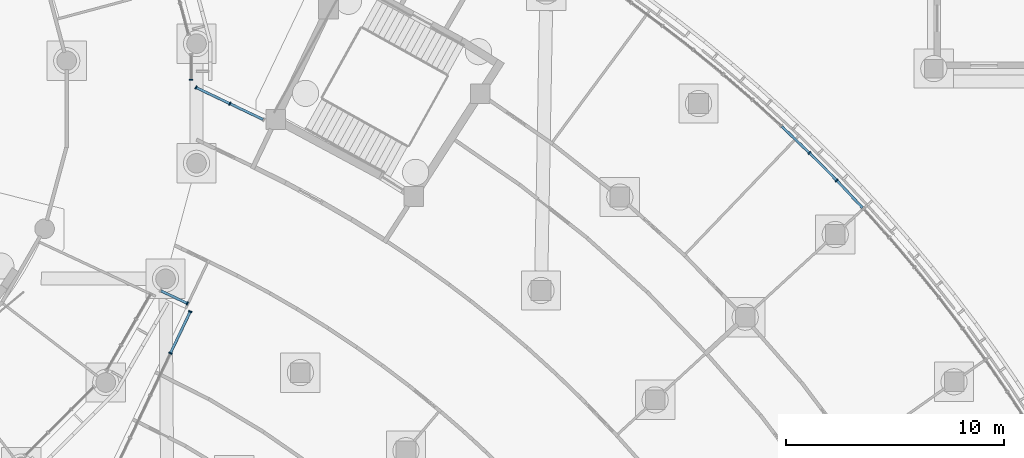
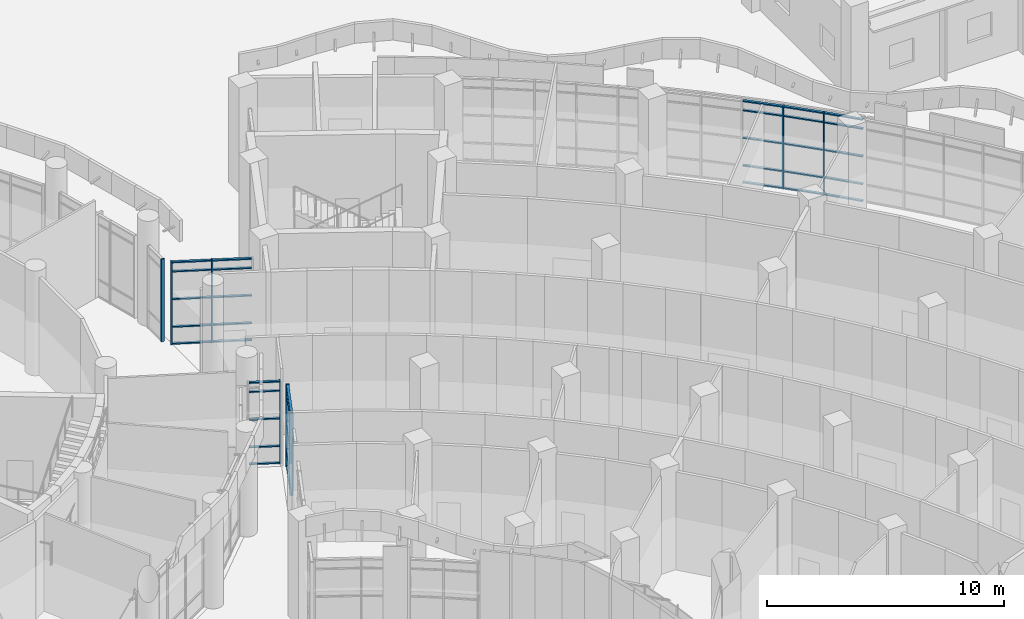
# One storey, part 35 of 146: 43 members, 5 elements without a shape of their own.
"""IFC4 building model written with IfcOpenShell, lengths in metres."""

from ifc_helpers import new_model, si_unit, direction, frame, origin, origin_2d, place, context, subcontext, project, spatial, rectangle, extrude, material, material_profile, profile_set, type_object, element, aggregate, save


model = new_model("IFC4")

# Units and contexts
model_context = context("Model", 3, precision=1e-05, world=origin(), true_north=direction((0.0, 1.0)))
body_context = subcontext(model_context, "Body", "Model", "MODEL_VIEW")
ifc_project = project(units=[si_unit("LENGTHUNIT", "METRE"), si_unit("AREAUNIT", "SQUARE_METRE"), si_unit("VOLUMEUNIT", "CUBIC_METRE"), si_unit("PLANEANGLEUNIT", "RADIAN"), si_unit("MASSUNIT", "GRAM", prefix="KILO")], contexts=[model_context])

# Site, building, storey
site_placement = place(None, origin())
site = spatial("IfcSite", under=ifc_project, at=site_placement, CompositionType="ELEMENT")
building_placement = place(site_placement, origin())
building = spatial("IfcBuilding", under=site, at=building_placement, Name="Bougainvillea Quay General Hospital", CompositionType="ELEMENT")
storey_placement = place(building_placement, origin())
storey = spatial("IfcBuildingStorey", under=building, at=storey_placement, Name="L00", CompositionType="ELEMENT", Elevation=0.0)

# Curtain wall, member
ifc_material_1 = material(Name="Aluminium curtain wall system, powder-coated glazed", Category="aluminium")
curtain_wall_type_1 = type_object("IfcCurtainWallType", Name="Unitised curtain wall CW-1422", PredefinedType="NOTDEFINED", material=ifc_material_1)
curtain_wall_1_placement = place(storey_placement, origin())
curtain_wall_1 = element("IfcCurtainWall", 1, at=curtain_wall_1_placement, inside=storey, type_object=curtain_wall_type_1, Name="CW-AE 00", PredefinedType="NOTDEFINED")
ifc_material_2 = material(Name="Aluminium mullion, powder-coated charcoal", Category="aluminium")
ifc_material_profile_1 = material_profile(ifc_material_2, rectangle(XDim=0.159912109375, YDim=0.06005859375, at=origin_2d()))
ifc_profile_set_1 = profile_set([ifc_material_profile_1], Name="Aluminium mullion, powder-coated charcoal")
member_type_1 = type_object("IfcMemberType", Name="Curtain wall mullion 160x60", PredefinedType="MULLION", material=ifc_profile_set_1)
member_1_placement = place(storey_placement, frame((129.6005859375, 64.840576171875, 0.0), z_axis=(0.0, 0.0, 1.0), x_axis=(0.430534245195, 0.902574242771, 0.0)))
member_1 = element("IfcMember", 2, at=member_1_placement, type_object=member_type_1, Name="CW-AE mullion 2", PredefinedType="MULLION", context=body_context, shape_type="SweptSolid", body=[
    extrude(rectangle(XDim=0.159912109375, YDim=0.06005859375, at=origin_2d()), origin(), (0.0, 0.0, 1.0), 4.25),
])

# Curtain wall, members
curtain_wall_type_2 = type_object("IfcCurtainWallType", Name="Unitised curtain wall CW-2147", PredefinedType="NOTDEFINED", material=ifc_material_1)
curtain_wall_2_placement = place(storey_placement, origin())
curtain_wall_2 = element("IfcCurtainWall", 3, at=curtain_wall_2_placement, inside=storey, type_object=curtain_wall_type_2, Name="CW-AE 00", PredefinedType="NOTDEFINED")
member_2_placement = place(storey_placement, frame((129.732666015625, 64.46728515625, 0.0), z_axis=(0.0, 0.0, 1.0), x_axis=(0.902576055431, -0.430530445105, 0.0)))
member_2 = element("IfcMember", 4, at=member_2_placement, type_object=member_type_1, Name="CW-AE mullion 1", PredefinedType="MULLION", context=body_context, shape_type="SweptSolid", body=[
    extrude(rectangle(XDim=0.159912109375, YDim=0.06005859375, at=origin_2d()), origin(), (0.0, 0.0, 1.0), 4.25),
])
member_3_placement = place(storey_placement, frame((128.82177734375, 62.557373046875, 0.0), z_axis=(0.0, 0.0, 1.0), x_axis=(0.902576055431, -0.430530445105, 0.0)))
member_3 = element("IfcMember", 5, at=member_3_placement, type_object=member_type_1, Name="CW-AE mullion 2", PredefinedType="MULLION", context=body_context, shape_type="SweptSolid", body=[
    extrude(rectangle(XDim=0.159912109375, YDim=0.06005859375, at=origin_2d()), origin(), (0.0, 0.0, 1.0), 4.25),
])

curtain_wall_type_3 = type_object("IfcCurtainWallType", Name="Unitised curtain wall CW-2100", PredefinedType="NOTDEFINED", material=ifc_material_1)
curtain_wall_3_placement = place(storey_placement, origin())
curtain_wall_3 = element("IfcCurtainWall", 6, at=curtain_wall_3_placement, inside=storey, type_object=curtain_wall_type_3, Name="CW-E03 a23b2", PredefinedType="NOTDEFINED")
member_4_placement = place(storey_placement, frame((158.098388671875, 71.739990234375, 0.0), z_axis=(0.0, 0.0, 1.0), x_axis=(0.701048674877, 0.713113423974, 0.0)))
member_4 = element("IfcMember", 7, at=member_4_placement, type_object=member_type_1, Name="CW-E03 mullion 4", PredefinedType="MULLION", context=body_context, shape_type="SweptSolid", body=[
    extrude(rectangle(XDim=0.159912109375, YDim=0.06005859375, at=origin_2d()), origin(), (0.0, 0.0, 1.0), 4.25),
])
member_5_placement = place(storey_placement, frame((159.35205078125, 70.475830078125, 0.0), z_axis=(0.0, 0.0, 1.0), x_axis=(0.71901964839, 0.694989744693, 0.0)))
member_5 = element("IfcMember", 8, at=member_5_placement, type_object=member_type_1, Name="CW-E03 mullion 5", PredefinedType="MULLION", context=body_context, shape_type="SweptSolid", body=[
    extrude(rectangle(XDim=0.159912109375, YDim=0.06005859375, at=origin_2d()), origin(), (0.0, 0.0, 1.0), 4.25),
])

curtain_wall_type_4 = type_object("IfcCurtainWallType", Name="Unitised curtain wall CW-1745", PredefinedType="NOTDEFINED", material=ifc_material_1)
curtain_wall_4_placement = place(storey_placement, origin())
curtain_wall_4 = element("IfcCurtainWall", 9, at=curtain_wall_4_placement, inside=storey, type_object=curtain_wall_type_4, Name="CW-AE 00", PredefinedType="NOTDEFINED")
member_6_placement = place(storey_placement, frame((131.546875, 73.994384765625, 0.0), z_axis=(0.0, 0.0, 1.0), x_axis=(-0.430463026068, -0.902608211345, 0.0)))
member_6 = element("IfcMember", 10, at=member_6_placement, type_object=member_type_1, Name="CW-AE mullion 2", PredefinedType="MULLION", context=body_context, shape_type="SweptSolid", body=[
    extrude(rectangle(XDim=0.159912109375, YDim=0.06005859375, at=origin_2d()), origin(), (0.0, 0.0, 1.0), 4.25),
])
member_7_placement = place(storey_placement, frame((129.99951171875, 74.732421875, 0.0), z_axis=(0.0, 0.0, 1.0), x_axis=(-0.430463026068, -0.902608211345, 0.0)))
member_7 = element("IfcMember", 11, at=member_7_placement, type_object=member_type_1, Name="CW-AE mullion 3", PredefinedType="MULLION", context=body_context, shape_type="SweptSolid", body=[
    extrude(rectangle(XDim=0.159912109375, YDim=0.06005859375, at=origin_2d()), origin(), (0.0, 0.0, 1.0), 4.25),
])

# Curtain wall, member
curtain_wall_type_5 = type_object("IfcCurtainWallType", Name="Unitised curtain wall CW-1211", PredefinedType="NOTDEFINED", material=ifc_material_1)
curtain_wall_5_placement = place(storey_placement, origin())
curtain_wall_5 = element("IfcCurtainWall", 12, at=curtain_wall_5_placement, inside=storey, type_object=curtain_wall_type_5, Name="CW-D 00", PredefinedType="NOTDEFINED")
member_8_placement = place(storey_placement, frame((129.77001953125, 75.090087890625, 0.0), z_axis=(0.0, 0.0, 1.0), x_axis=(-1.0, 0.0, 0.0)))
member_8 = element("IfcMember", 13, at=member_8_placement, type_object=member_type_1, Name="CW-D mullion 1", PredefinedType="MULLION", context=body_context, shape_type="SweptSolid", body=[
    extrude(rectangle(XDim=0.159912109375, YDim=0.06005859375, at=origin_2d()), origin(), (0.0, 0.0, 1.0), 4.25),
])
aggregate(curtain_wall_5, [member_8])

# Member
ifc_material_3 = material(Name="Aluminium transom, powder-coated charcoal", Category="aluminium")
ifc_material_profile_2 = material_profile(ifc_material_3, rectangle(XDim=0.1201171875, YDim=0.06005859375, at=origin_2d()))
ifc_profile_set_2 = profile_set([ifc_material_profile_2], Name="Aluminium transom, powder-coated charcoal")
member_type_2 = type_object("IfcMemberType", Name="Curtain wall transom 120x60", PredefinedType="USERDEFINED", material=ifc_profile_set_2)
member_9_placement = place(storey_placement, frame((128.398681640625, 65.413818359375, 0.030029296875), z_axis=(0.902600317452, -0.430479577837, 0.0), x_axis=(0.430479577837, 0.902600317452, 0.0)))
member_9 = element("IfcMember", 14, at=member_9_placement, type_object=member_type_2, Name="CW-AE transom 1.1", ObjectType="TRANSOM", PredefinedType="USERDEFINED", context=body_context, shape_type="SweptSolid", body=[
    extrude(rectangle(XDim=0.1201171875, YDim=0.06005859375, at=origin_2d()), origin(), (0.0, 0.0, 1.0), 1.301513671875),
])

member_10_placement = place(storey_placement, frame((128.398681640625, 65.413818359375, 0.89990234375), z_axis=(0.902600317452, -0.430479577837, 0.0), x_axis=(0.430479577837, 0.902600317452, 0.0)))
member_10 = element("IfcMember", 15, at=member_10_placement, type_object=member_type_2, Name="CW-AE transom 1.2", ObjectType="TRANSOM", PredefinedType="USERDEFINED", context=body_context, shape_type="SweptSolid", body=[
    extrude(rectangle(XDim=0.1201171875, YDim=0.06005859375, at=origin_2d()), origin(), (0.0, 0.0, 1.0), 1.301513671875),
])

member_11_placement = place(storey_placement, frame((128.398681640625, 65.413818359375, 2.324951171875), z_axis=(0.902600317452, -0.430479577837, 0.0), x_axis=(0.430479577837, 0.902600317452, 0.0)))
member_11 = element("IfcMember", 16, at=member_11_placement, type_object=member_type_2, Name="CW-AE transom 1.3", ObjectType="TRANSOM", PredefinedType="USERDEFINED", context=body_context, shape_type="SweptSolid", body=[
    extrude(rectangle(XDim=0.1201171875, YDim=0.06005859375, at=origin_2d()), origin(), (0.0, 0.0, 1.0), 1.301513671875),
])

member_12_placement = place(storey_placement, frame((128.398681640625, 65.413818359375, 3.75), z_axis=(0.902600317452, -0.430479577837, 0.0), x_axis=(0.430479577837, 0.902600317452, 0.0)))
member_12 = element("IfcMember", 17, at=member_12_placement, type_object=member_type_2, Name="CW-AE transom 1.4", ObjectType="TRANSOM", PredefinedType="USERDEFINED", context=body_context, shape_type="SweptSolid", body=[
    extrude(rectangle(XDim=0.1201171875, YDim=0.06005859375, at=origin_2d()), origin(), (0.0, 0.0, 1.0), 1.301513671875),
])

member_13_placement = place(storey_placement, frame((128.398681640625, 65.413818359375, 4.219970703125), z_axis=(0.902600317452, -0.430479577837, 0.0), x_axis=(0.430479577837, 0.902600317452, 0.0)))
member_13 = element("IfcMember", 18, at=member_13_placement, type_object=member_type_2, Name="CW-AE transom 1.5", ObjectType="TRANSOM", PredefinedType="USERDEFINED", context=body_context, shape_type="SweptSolid", body=[
    extrude(rectangle(XDim=0.1201171875, YDim=0.06005859375, at=origin_2d()), origin(), (0.0, 0.0, 1.0), 1.301513671875),
])

aggregate(curtain_wall_1, [member_1, member_9, member_10, member_11, member_12, member_13])

member_14_placement = place(storey_placement, frame((129.7197265625, 64.440185546875, 0.030029296875), z_axis=(-0.430463594674, -0.902607940171, 0.0), x_axis=(0.902607940171, -0.430463594674, 0.0)))
member_14 = element("IfcMember", 19, at=member_14_placement, type_object=member_type_2, Name="CW-AE transom 1.1", ObjectType="TRANSOM", PredefinedType="USERDEFINED", context=body_context, shape_type="SweptSolid", body=[
    extrude(rectangle(XDim=0.1201171875, YDim=0.06005859375, at=origin_2d()), origin(), (0.0, 0.0, 1.0), 2.055908203125),
])

member_15_placement = place(storey_placement, frame((129.7197265625, 64.440185546875, 0.89990234375), z_axis=(-0.430463594674, -0.902607940171, 0.0), x_axis=(0.902607940171, -0.430463594674, 0.0)))
member_15 = element("IfcMember", 20, at=member_15_placement, type_object=member_type_2, Name="CW-AE transom 1.2", ObjectType="TRANSOM", PredefinedType="USERDEFINED", context=body_context, shape_type="SweptSolid", body=[
    extrude(rectangle(XDim=0.1201171875, YDim=0.06005859375, at=origin_2d()), origin(), (0.0, 0.0, 1.0), 2.055908203125),
])

member_16_placement = place(storey_placement, frame((129.7197265625, 64.440185546875, 2.324951171875), z_axis=(-0.430463594674, -0.902607940171, 0.0), x_axis=(0.902607940171, -0.430463594674, 0.0)))
member_16 = element("IfcMember", 21, at=member_16_placement, type_object=member_type_2, Name="CW-AE transom 1.3", ObjectType="TRANSOM", PredefinedType="USERDEFINED", context=body_context, shape_type="SweptSolid", body=[
    extrude(rectangle(XDim=0.1201171875, YDim=0.06005859375, at=origin_2d()), origin(), (0.0, 0.0, 1.0), 2.055908203125),
])

member_17_placement = place(storey_placement, frame((129.7197265625, 64.440185546875, 3.75), z_axis=(-0.430463594674, -0.902607940171, 0.0), x_axis=(0.902607940171, -0.430463594674, 0.0)))
member_17 = element("IfcMember", 22, at=member_17_placement, type_object=member_type_2, Name="CW-AE transom 1.4", ObjectType="TRANSOM", PredefinedType="USERDEFINED", context=body_context, shape_type="SweptSolid", body=[
    extrude(rectangle(XDim=0.1201171875, YDim=0.06005859375, at=origin_2d()), origin(), (0.0, 0.0, 1.0), 2.055908203125),
])

member_18_placement = place(storey_placement, frame((129.7197265625, 64.440185546875, 4.219970703125), z_axis=(-0.430463594674, -0.902607940171, 0.0), x_axis=(0.902607940171, -0.430463594674, 0.0)))
member_18 = element("IfcMember", 23, at=member_18_placement, type_object=member_type_2, Name="CW-AE transom 1.5", ObjectType="TRANSOM", PredefinedType="USERDEFINED", context=body_context, shape_type="SweptSolid", body=[
    extrude(rectangle(XDim=0.1201171875, YDim=0.06005859375, at=origin_2d()), origin(), (0.0, 0.0, 1.0), 2.055908203125),
])

aggregate(curtain_wall_2, [member_2, member_3, member_14, member_15, member_16, member_17, member_18])

member_19_placement = place(storey_placement, frame((156.834716796875, 72.950927734375, 0.030029296875), z_axis=(0.722059094176, -0.691831384455, 0.0), x_axis=(0.691831384455, 0.722059094176, 0.0)))
member_19 = element("IfcMember", 24, at=member_19_placement, type_object=member_type_2, Name="CW-E03 transom 3.1", ObjectType="TRANSOM", PredefinedType="USERDEFINED", context=body_context, shape_type="SweptSolid", body=[
    extrude(rectangle(XDim=0.1201171875, YDim=0.06005859375, at=origin_2d()), origin(), (0.0, 0.0, 1.0), 1.720458984375),
])

member_20_placement = place(storey_placement, frame((156.834716796875, 72.950927734375, 0.89990234375), z_axis=(0.722059094176, -0.691831384455, 0.0), x_axis=(0.691831384455, 0.722059094176, 0.0)))
member_20 = element("IfcMember", 25, at=member_20_placement, type_object=member_type_2, Name="CW-E03 transom 3.2", ObjectType="TRANSOM", PredefinedType="USERDEFINED", context=body_context, shape_type="SweptSolid", body=[
    extrude(rectangle(XDim=0.1201171875, YDim=0.06005859375, at=origin_2d()), origin(), (0.0, 0.0, 1.0), 1.720458984375),
])

member_21_placement = place(storey_placement, frame((156.834716796875, 72.950927734375, 2.324951171875), z_axis=(0.722059094176, -0.691831384455, 0.0), x_axis=(0.691831384455, 0.722059094176, 0.0)))
member_21 = element("IfcMember", 26, at=member_21_placement, type_object=member_type_2, Name="CW-E03 transom 3.3", ObjectType="TRANSOM", PredefinedType="USERDEFINED", context=body_context, shape_type="SweptSolid", body=[
    extrude(rectangle(XDim=0.1201171875, YDim=0.06005859375, at=origin_2d()), origin(), (0.0, 0.0, 1.0), 1.720458984375),
])

member_22_placement = place(storey_placement, frame((156.834716796875, 72.950927734375, 3.75), z_axis=(0.722059094176, -0.691831384455, 0.0), x_axis=(0.691831384455, 0.722059094176, 0.0)))
member_22 = element("IfcMember", 27, at=member_22_placement, type_object=member_type_2, Name="CW-E03 transom 3.4", ObjectType="TRANSOM", PredefinedType="USERDEFINED", context=body_context, shape_type="SweptSolid", body=[
    extrude(rectangle(XDim=0.1201171875, YDim=0.06005859375, at=origin_2d()), origin(), (0.0, 0.0, 1.0), 1.720458984375),
])

member_23_placement = place(storey_placement, frame((156.834716796875, 72.950927734375, 4.219970703125), z_axis=(0.722059094176, -0.691831384455, 0.0), x_axis=(0.691831384455, 0.722059094176, 0.0)))
member_23 = element("IfcMember", 28, at=member_23_placement, type_object=member_type_2, Name="CW-E03 transom 3.5", ObjectType="TRANSOM", PredefinedType="USERDEFINED", context=body_context, shape_type="SweptSolid", body=[
    extrude(rectangle(XDim=0.1201171875, YDim=0.06005859375, at=origin_2d()), origin(), (0.0, 0.0, 1.0), 1.720458984375),
])

member_24_placement = place(storey_placement, frame((158.11962890625, 71.71875, 0.030029296875), z_axis=(0.704048987987, -0.710151408162, 0.0), x_axis=(0.710151408162, 0.704048987987, 0.0)))
member_24 = element("IfcMember", 29, at=member_24_placement, type_object=member_type_2, Name="CW-E03 transom 4.1", ObjectType="TRANSOM", PredefinedType="USERDEFINED", context=body_context, shape_type="SweptSolid", body=[
    extrude(rectangle(XDim=0.1201171875, YDim=0.06005859375, at=origin_2d()), origin(), (0.0, 0.0, 1.0), 1.72021484375),
])

member_25_placement = place(storey_placement, frame((158.11962890625, 71.71875, 0.89990234375), z_axis=(0.704048987987, -0.710151408162, 0.0), x_axis=(0.710151408162, 0.704048987987, 0.0)))
member_25 = element("IfcMember", 30, at=member_25_placement, type_object=member_type_2, Name="CW-E03 transom 4.2", ObjectType="TRANSOM", PredefinedType="USERDEFINED", context=body_context, shape_type="SweptSolid", body=[
    extrude(rectangle(XDim=0.1201171875, YDim=0.06005859375, at=origin_2d()), origin(), (0.0, 0.0, 1.0), 1.72021484375),
])

member_26_placement = place(storey_placement, frame((158.11962890625, 71.71875, 2.324951171875), z_axis=(0.704048987987, -0.710151408162, 0.0), x_axis=(0.710151408162, 0.704048987987, 0.0)))
member_26 = element("IfcMember", 31, at=member_26_placement, type_object=member_type_2, Name="CW-E03 transom 4.3", ObjectType="TRANSOM", PredefinedType="USERDEFINED", context=body_context, shape_type="SweptSolid", body=[
    extrude(rectangle(XDim=0.1201171875, YDim=0.06005859375, at=origin_2d()), origin(), (0.0, 0.0, 1.0), 1.72021484375),
])

member_27_placement = place(storey_placement, frame((158.11962890625, 71.71875, 3.75), z_axis=(0.704048987987, -0.710151408162, 0.0), x_axis=(0.710151408162, 0.704048987987, 0.0)))
member_27 = element("IfcMember", 32, at=member_27_placement, type_object=member_type_2, Name="CW-E03 transom 4.4", ObjectType="TRANSOM", PredefinedType="USERDEFINED", context=body_context, shape_type="SweptSolid", body=[
    extrude(rectangle(XDim=0.1201171875, YDim=0.06005859375, at=origin_2d()), origin(), (0.0, 0.0, 1.0), 1.72021484375),
])

member_28_placement = place(storey_placement, frame((158.11962890625, 71.71875, 4.219970703125), z_axis=(0.704048987987, -0.710151408162, 0.0), x_axis=(0.710151408162, 0.704048987987, 0.0)))
member_28 = element("IfcMember", 33, at=member_28_placement, type_object=member_type_2, Name="CW-E03 transom 4.5", ObjectType="TRANSOM", PredefinedType="USERDEFINED", context=body_context, shape_type="SweptSolid", body=[
    extrude(rectangle(XDim=0.1201171875, YDim=0.06005859375, at=origin_2d()), origin(), (0.0, 0.0, 1.0), 1.72021484375),
])

member_29_placement = place(storey_placement, frame((159.37255859375, 70.4541015625, 0.030029296875), z_axis=(0.685779077704, -0.727809766755, 0.0), x_axis=(0.727809766755, 0.685779077704, 0.0)))
member_29 = element("IfcMember", 34, at=member_29_placement, type_object=member_type_2, Name="CW-E03 transom 5.1", ObjectType="TRANSOM", PredefinedType="USERDEFINED", context=body_context, shape_type="SweptSolid", body=[
    extrude(rectangle(XDim=0.1201171875, YDim=0.06005859375, at=origin_2d()), origin(), (0.0, 0.0, 1.0), 1.6904296875),
])

member_30_placement = place(storey_placement, frame((159.37255859375, 70.4541015625, 0.89990234375), z_axis=(0.685779077704, -0.727809766755, 0.0), x_axis=(0.727809766755, 0.685779077704, 0.0)))
member_30 = element("IfcMember", 35, at=member_30_placement, type_object=member_type_2, Name="CW-E03 transom 5.2", ObjectType="TRANSOM", PredefinedType="USERDEFINED", context=body_context, shape_type="SweptSolid", body=[
    extrude(rectangle(XDim=0.1201171875, YDim=0.06005859375, at=origin_2d()), origin(), (0.0, 0.0, 1.0), 1.6904296875),
])

member_31_placement = place(storey_placement, frame((159.37255859375, 70.4541015625, 2.324951171875), z_axis=(0.685779077704, -0.727809766755, 0.0), x_axis=(0.727809766755, 0.685779077704, 0.0)))
member_31 = element("IfcMember", 36, at=member_31_placement, type_object=member_type_2, Name="CW-E03 transom 5.3", ObjectType="TRANSOM", PredefinedType="USERDEFINED", context=body_context, shape_type="SweptSolid", body=[
    extrude(rectangle(XDim=0.1201171875, YDim=0.06005859375, at=origin_2d()), origin(), (0.0, 0.0, 1.0), 1.6904296875),
])

member_32_placement = place(storey_placement, frame((159.37255859375, 70.4541015625, 3.75), z_axis=(0.685779077704, -0.727809766755, 0.0), x_axis=(0.727809766755, 0.685779077704, 0.0)))
member_32 = element("IfcMember", 37, at=member_32_placement, type_object=member_type_2, Name="CW-E03 transom 5.4", ObjectType="TRANSOM", PredefinedType="USERDEFINED", context=body_context, shape_type="SweptSolid", body=[
    extrude(rectangle(XDim=0.1201171875, YDim=0.06005859375, at=origin_2d()), origin(), (0.0, 0.0, 1.0), 1.6904296875),
])

member_33_placement = place(storey_placement, frame((159.37255859375, 70.4541015625, 4.219970703125), z_axis=(0.685779077704, -0.727809766755, 0.0), x_axis=(0.727809766755, 0.685779077704, 0.0)))
member_33 = element("IfcMember", 38, at=member_33_placement, type_object=member_type_2, Name="CW-E03 transom 5.5", ObjectType="TRANSOM", PredefinedType="USERDEFINED", context=body_context, shape_type="SweptSolid", body=[
    extrude(rectangle(XDim=0.1201171875, YDim=0.06005859375, at=origin_2d()), origin(), (0.0, 0.0, 1.0), 1.6904296875),
])

aggregate(curtain_wall_3, [member_4, member_5, member_19, member_20, member_21, member_22, member_23, member_24, member_25, member_26, member_27, member_28, member_29, member_30, member_31, member_32, member_33])

member_34_placement = place(storey_placement, frame((133.06689453125, 73.26953125, 0.030029296875), z_axis=(-0.902595741471, 0.430489172314, 0.0), x_axis=(-0.430489172314, -0.902595741471, 0.0)))
member_34 = element("IfcMember", 39, at=member_34_placement, type_object=member_type_2, Name="CW-AE transom 1.1", ObjectType="TRANSOM", PredefinedType="USERDEFINED", context=body_context, shape_type="SweptSolid", body=[
    extrude(rectangle(XDim=0.1201171875, YDim=0.06005859375, at=origin_2d()), origin(), (0.0, 0.0, 1.0), 1.654296875),
])

member_35_placement = place(storey_placement, frame((133.06689453125, 73.26953125, 0.89990234375), z_axis=(-0.902595741471, 0.430489172314, 0.0), x_axis=(-0.430489172314, -0.902595741471, 0.0)))
member_35 = element("IfcMember", 40, at=member_35_placement, type_object=member_type_2, Name="CW-AE transom 1.2", ObjectType="TRANSOM", PredefinedType="USERDEFINED", context=body_context, shape_type="SweptSolid", body=[
    extrude(rectangle(XDim=0.1201171875, YDim=0.06005859375, at=origin_2d()), origin(), (0.0, 0.0, 1.0), 1.654296875),
])

member_36_placement = place(storey_placement, frame((133.06689453125, 73.26953125, 2.324951171875), z_axis=(-0.902595741471, 0.430489172314, 0.0), x_axis=(-0.430489172314, -0.902595741471, 0.0)))
member_36 = element("IfcMember", 41, at=member_36_placement, type_object=member_type_2, Name="CW-AE transom 1.3", ObjectType="TRANSOM", PredefinedType="USERDEFINED", context=body_context, shape_type="SweptSolid", body=[
    extrude(rectangle(XDim=0.1201171875, YDim=0.06005859375, at=origin_2d()), origin(), (0.0, 0.0, 1.0), 1.654296875),
])

member_37_placement = place(storey_placement, frame((133.06689453125, 73.26953125, 3.75), z_axis=(-0.902595741471, 0.430489172314, 0.0), x_axis=(-0.430489172314, -0.902595741471, 0.0)))
member_37 = element("IfcMember", 42, at=member_37_placement, type_object=member_type_2, Name="CW-AE transom 1.4", ObjectType="TRANSOM", PredefinedType="USERDEFINED", context=body_context, shape_type="SweptSolid", body=[
    extrude(rectangle(XDim=0.1201171875, YDim=0.06005859375, at=origin_2d()), origin(), (0.0, 0.0, 1.0), 1.654296875),
])

member_38_placement = place(storey_placement, frame((133.06689453125, 73.26953125, 4.219970703125), z_axis=(-0.902595741471, 0.430489172314, 0.0), x_axis=(-0.430489172314, -0.902595741471, 0.0)))
member_38 = element("IfcMember", 43, at=member_38_placement, type_object=member_type_2, Name="CW-AE transom 1.5", ObjectType="TRANSOM", PredefinedType="USERDEFINED", context=body_context, shape_type="SweptSolid", body=[
    extrude(rectangle(XDim=0.1201171875, YDim=0.06005859375, at=origin_2d()), origin(), (0.0, 0.0, 1.0), 1.654296875),
])

member_39_placement = place(storey_placement, frame((131.519775390625, 74.00732421875, 0.030029296875), z_axis=(-0.902595741471, 0.430489172314, 0.0), x_axis=(-0.430489172314, -0.902595741471, 0.0)))
member_39 = element("IfcMember", 44, at=member_39_placement, type_object=member_type_2, Name="CW-AE transom 2.1", ObjectType="TRANSOM", PredefinedType="USERDEFINED", context=body_context, shape_type="SweptSolid", body=[
    extrude(rectangle(XDim=0.1201171875, YDim=0.06005859375, at=origin_2d()), origin(), (0.0, 0.0, 1.0), 1.654296875),
])

member_40_placement = place(storey_placement, frame((131.519775390625, 74.00732421875, 0.89990234375), z_axis=(-0.902595741471, 0.430489172314, 0.0), x_axis=(-0.430489172314, -0.902595741471, 0.0)))
member_40 = element("IfcMember", 45, at=member_40_placement, type_object=member_type_2, Name="CW-AE transom 2.2", ObjectType="TRANSOM", PredefinedType="USERDEFINED", context=body_context, shape_type="SweptSolid", body=[
    extrude(rectangle(XDim=0.1201171875, YDim=0.06005859375, at=origin_2d()), origin(), (0.0, 0.0, 1.0), 1.654296875),
])

member_41_placement = place(storey_placement, frame((131.519775390625, 74.00732421875, 2.324951171875), z_axis=(-0.902595741471, 0.430489172314, 0.0), x_axis=(-0.430489172314, -0.902595741471, 0.0)))
member_41 = element("IfcMember", 46, at=member_41_placement, type_object=member_type_2, Name="CW-AE transom 2.3", ObjectType="TRANSOM", PredefinedType="USERDEFINED", context=body_context, shape_type="SweptSolid", body=[
    extrude(rectangle(XDim=0.1201171875, YDim=0.06005859375, at=origin_2d()), origin(), (0.0, 0.0, 1.0), 1.654296875),
])

member_42_placement = place(storey_placement, frame((131.519775390625, 74.00732421875, 3.75), z_axis=(-0.902595741471, 0.430489172314, 0.0), x_axis=(-0.430489172314, -0.902595741471, 0.0)))
member_42 = element("IfcMember", 47, at=member_42_placement, type_object=member_type_2, Name="CW-AE transom 2.4", ObjectType="TRANSOM", PredefinedType="USERDEFINED", context=body_context, shape_type="SweptSolid", body=[
    extrude(rectangle(XDim=0.1201171875, YDim=0.06005859375, at=origin_2d()), origin(), (0.0, 0.0, 1.0), 1.654296875),
])

member_43_placement = place(storey_placement, frame((131.519775390625, 74.00732421875, 4.219970703125), z_axis=(-0.902595741471, 0.430489172314, 0.0), x_axis=(-0.430489172314, -0.902595741471, 0.0)))
member_43 = element("IfcMember", 48, at=member_43_placement, type_object=member_type_2, Name="CW-AE transom 2.5", ObjectType="TRANSOM", PredefinedType="USERDEFINED", context=body_context, shape_type="SweptSolid", body=[
    extrude(rectangle(XDim=0.1201171875, YDim=0.06005859375, at=origin_2d()), origin(), (0.0, 0.0, 1.0), 1.654296875),
])

aggregate(curtain_wall_4, [member_6, member_7, member_34, member_35, member_36, member_37, member_38, member_39, member_40, member_41, member_42, member_43])

save(model, "model.ifc")
